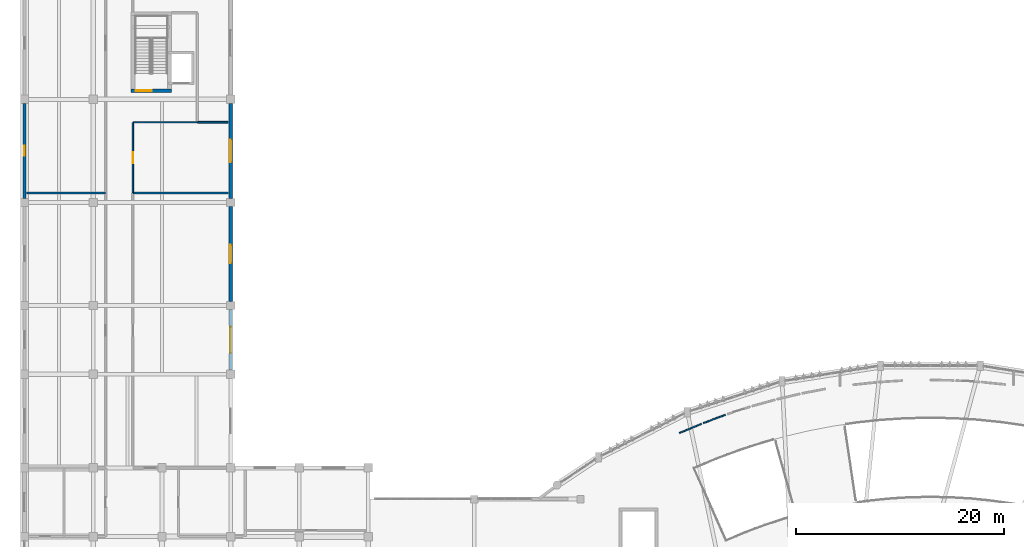
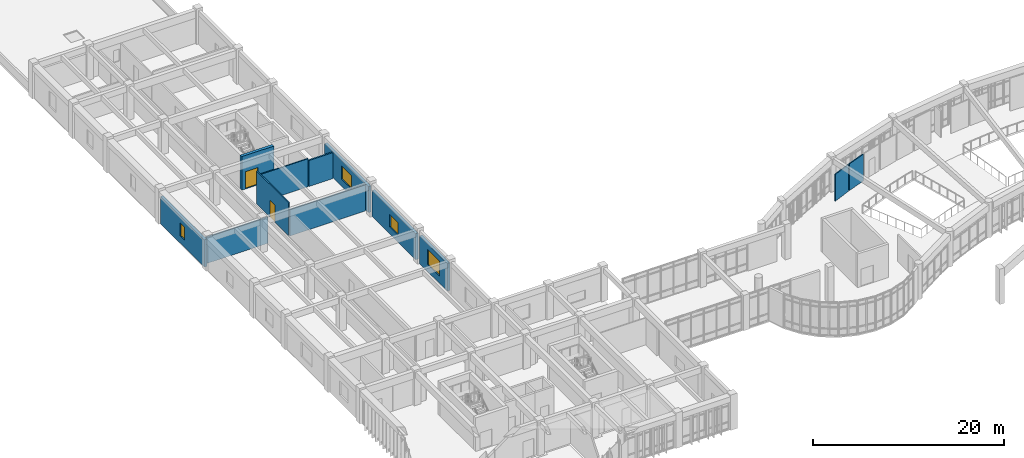
# One storey, part 43 of 54: 12 walls, 4 windows, 2 doors, 6 openings.
"""IFC4 building model written with IfcOpenShell, lengths in metres."""

from ifc_helpers import new_model, si_unit, direction, frame, frame_2d, origin, place, context, subcontext, project, spatial, rectangle, extrude, material, layer, layer_set, type_object, element, fill, save


model = new_model("IFC4")

# Units and contexts
model_context = context("Model", 3, precision=1e-05, world=origin(), true_north=direction((0.0, 1.0)))
body_context = subcontext(model_context, "Body", "Model", "MODEL_VIEW")
ifc_project = project(units=[si_unit("LENGTHUNIT", "METRE"), si_unit("AREAUNIT", "SQUARE_METRE"), si_unit("VOLUMEUNIT", "CUBIC_METRE"), si_unit("PLANEANGLEUNIT", "RADIAN"), si_unit("MASSUNIT", "GRAM", prefix="KILO")], contexts=[model_context])

# Site, building, storey
site_placement = place(None, origin())
site = spatial("IfcSite", under=ifc_project, at=site_placement, CompositionType="ELEMENT")
building_placement = place(site_placement, origin())
building = spatial("IfcBuilding", under=site, at=building_placement, Name="Miralva Faculty of Natural Sciences", CompositionType="ELEMENT")
storey_placement = place(building_placement, frame((0.0, 0.0, 19.5)))
storey = spatial("IfcBuildingStorey", under=building, at=storey_placement, Name="L04", CompositionType="ELEMENT", Elevation=19.5)

# Wall, opening, door
ifc_material_1 = material(Name="Concrete C50/60", Category="concrete")
ifc_layer_1 = layer(ifc_material_1, 0.35009765625, Name="WL-CW02")
ifc_layer_set_1 = layer_set([ifc_layer_1], Name="Concrete C50/60")
wall_type_1 = type_object("IfcWallType", Name="WL-CW02", PredefinedType="SHEAR", material=ifc_layer_set_1)
wall_1_placement = place(storey_placement, frame((13.25, 66.22509765625, 0.0), z_axis=(0.0, 0.0, 1.0), x_axis=(1.0, 0.0, 0.0)))
wall_1 = element("IfcWall", 1, at=wall_1_placement, inside=storey, type_object=wall_type_1, Name="Core C2 shear wall south L04", PredefinedType="SHEAR", context=body_context, shape_type="SweptSolid", body=[
    extrude(rectangle(XDim=3.85009765625, YDim=0.35009765625, at=frame_2d((1.925048828125, 0.0))), origin(), (0.0, 0.0, 1.0), 4.280029296875),
])
opening_1_placement = place(wall_1_placement, frame((0.449951171875, 0.0, 0.0)))
opening_1 = element("IfcOpeningElement", 2, at=opening_1_placement, cuts=wall_1, Name="Opening D-11", PredefinedType="OPENING", context=body_context, shape_type="SweptSolid", body=[
    extrude(rectangle(XDim=1.5, YDim=2.199951171875, at=frame_2d((0.75, 1.10009765625))), frame((0.0, 0.18505859375, 0.0), z_axis=(0.0, -1.0, 0.0), x_axis=(1.0, 0.0, 0.0)), (0.0, 0.0, 1.0), 0.3701171875),
])
ifc_material_2 = material(Name="Galvanised steel", Category="steel")
door_type_1 = type_object("IfcDoorType", Name="DR-DI11", OperationType="DOUBLE_DOOR_SINGLE_SWING", PredefinedType="DOOR", material=ifc_material_2)
door_1_placement = place(opening_1_placement, frame((1.5, 0.0, 0.0), z_axis=(0.0, 0.0, 1.0), x_axis=(-1.0, 0.0, 0.0)))
door_1 = element("IfcDoor", 3, at=door_1_placement, inside=storey, type_object=door_type_1, Name="Protected exit stair door Core C2 L04", OperationType="DOUBLE_DOOR_SINGLE_SWING", OverallHeight=2.199951171875, OverallWidth=1.5, PredefinedType="DOOR", context=body_context, shape_type="SweptSolid", body=[
    extrude(rectangle(XDim=1.5, YDim=2.199951171875, at=frame_2d((0.75, 1.10009765625))), frame((0.0, 0.02490234375, 0.0), z_axis=(0.0, -1.0, 0.0), x_axis=(1.0, 0.0, 0.0)), (0.0, 0.0, 1.0), 0.050048828125),
])
fill(opening_1, door_1)

# Walls
ifc_material_3 = material(Name="Gypsum plasterboard")
ifc_layer_2 = layer(ifc_material_3, 0.179931640625, Name="WL-PT02")
ifc_layer_set_2 = layer_set([ifc_layer_2], Name="Gypsum plasterboard")
wall_type_2 = type_object("IfcWallType", Name="WL-PT02", PredefinedType="PARTITIONING", material=ifc_layer_set_2)
wall_2_placement = place(storey_placement, frame((3.22998046875, 56.39990234375, 0.0), z_axis=(0.0, 0.0, 1.0), x_axis=(1.0, 0.0, 0.0)))
element("IfcWall", 4, at=wall_2_placement, inside=storey, type_object=wall_type_2, Name="Interior partition PT-02 L04-442", PredefinedType="PARTITIONING", context=body_context, shape_type="SweptSolid", body=[
    extrude(rectangle(XDim=7.5400390625, YDim=0.179931640625, at=frame_2d((3.77001953125, 0.0))), origin(), (0.0, 0.0, 1.0), 3.324951171875),
])
wall_3_placement = place(storey_placement, frame((13.429931640625, 56.39990234375, 0.0), z_axis=(0.0, 0.0, 1.0), x_axis=(1.0, 0.0, 0.0)))
element("IfcWall", 5, at=wall_3_placement, inside=storey, type_object=wall_type_2, Name="Interior partition PT-02 L04-444", PredefinedType="PARTITIONING", context=body_context, shape_type="SweptSolid", body=[
    extrude(rectangle(XDim=9.14013671875, YDim=0.179931640625, at=frame_2d((4.570068359375, 0.0))), origin(), (0.0, 0.0, 1.0), 3.324951171875),
])
wall_4_placement = place(storey_placement, frame((19.6298828125, 63.199951171875, 0.0), z_axis=(0.0, 0.0, 1.0), x_axis=(1.0, 0.0, 0.0)))
element("IfcWall", 6, at=wall_4_placement, inside=storey, type_object=wall_type_2, Name="Interior partition PT-02 L04-446", PredefinedType="PARTITIONING", context=body_context, shape_type="SweptSolid", body=[
    extrude(rectangle(XDim=2.940185546875, YDim=0.179931640625, at=frame_2d((1.47021484375, 0.0))), origin(), (0.0, 0.0, 1.0), 3.324951171875),
])

# Wall, opening, door
ifc_layer_3 = layer(ifc_material_3, 0.139892578125, Name="WL-PT04")
ifc_layer_set_3 = layer_set([ifc_layer_3], Name="Gypsum plasterboard")
wall_type_3 = type_object("IfcWallType", Name="WL-PT04", PredefinedType="PARTITIONING", material=ifc_layer_set_3)
wall_5_placement = place(storey_placement, frame((13.39990234375, 56.429931640625, 0.0), z_axis=(0.0, 0.0, 1.0), x_axis=(0.0, 1.0, 0.0)))
wall_5 = element("IfcWall", 7, at=wall_5_placement, inside=storey, type_object=wall_type_3, Name="Interior partition PT-04 L04-447", PredefinedType="PARTITIONING", context=body_context, shape_type="SweptSolid", body=[
    extrude(rectangle(XDim=6.739990234375, YDim=0.139892578125, at=frame_2d((3.3701171875, 0.0))), origin(), (0.0, 0.0, 1.0), 4.179931640625),
])
opening_2_placement = place(wall_5_placement, frame((2.830078125, 0.0, 0.0)))
opening_2 = element("IfcOpeningElement", 8, at=opening_2_placement, cuts=wall_5, Name="Opening D-32", PredefinedType="OPENING", context=body_context, shape_type="SweptSolid", body=[
    extrude(rectangle(XDim=1.080078125, YDim=2.14990234375, at=frame_2d((0.5400390625, 1.074951171875))), frame((0.0, 0.079833984375, 0.0), z_axis=(0.0, -1.0, 0.0), x_axis=(1.0, 0.0, 0.0)), (0.0, 0.0, 1.0), 0.159912109375),
])
ifc_material_4 = material(Name="Anodised aluminium", Category="aluminium")
door_type_2 = type_object("IfcDoorType", Name="DR-DI32", OperationType="NOTDEFINED", PredefinedType="DOOR", material=ifc_material_4)
door_2_placement = place(opening_2_placement, origin())
door_2 = element("IfcDoor", 9, at=door_2_placement, inside=storey, type_object=door_type_2, Name="Interior door D-32 L04-163", OperationType="SINGLE_SWING_RIGHT", OverallHeight=2.14990234375, OverallWidth=1.080078125, PredefinedType="DOOR", context=body_context, shape_type="SweptSolid", body=[
    extrude(rectangle(XDim=1.080078125, YDim=2.14990234375, at=frame_2d((0.5400390625, 1.074951171875))), frame((0.0, 0.02490234375, 0.0), z_axis=(0.0, -1.0, 0.0), x_axis=(1.0, 0.0, 0.0)), (0.0, 0.0, 1.0), 0.050048828125),
])
fill(opening_2, door_2)

# Walls
wall_6_placement = place(storey_placement, frame((13.455078125, 63.199951171875, 0.0), z_axis=(0.0, 0.0, 1.0), x_axis=(1.0, 0.0, 0.0)))
element("IfcWall", 10, at=wall_6_placement, inside=storey, type_object=wall_type_3, Name="Interior partition PT-04 L04-448", PredefinedType="PARTITIONING", context=body_context, shape_type="SweptSolid", body=[
    extrude(rectangle(XDim=6.114990234375, YDim=0.139892578125, at=frame_2d((3.0576171875, 0.0))), origin(), (0.0, 0.0, 1.0), 3.574951171875),
])
ifc_layer_4 = layer(ifc_material_3, 0.125, Name="WL-PT05")
ifc_layer_set_4 = layer_set([ifc_layer_4], Name="Gypsum plasterboard")
wall_type_4 = type_object("IfcWallType", Name="WL-PT05", PredefinedType="PARTITIONING", material=ifc_layer_set_4)
for number, where, z_axis, x_axis, name in (
    (11, (65.9169921875, 33.35205078125, 0.0), (0.0, 0.0, 1.0), (0.921787384168, 0.38769578072, 0.0), "Interior partition PT-05 L04-419"),
    (12, (68.203369140625, 34.30859375, 0.0), (0.0, 0.0, 1.0), (0.937158790468, 0.348903140497, 0.0), "Interior partition PT-05 L04-420"),
):
    element("IfcWall", number, at=place(storey_placement, frame(where, z_axis=z_axis, x_axis=x_axis)), inside=storey, type_object=wall_type_4, Name=name, PredefinedType="PARTITIONING", context=body_context, shape_type="SweptSolid", body=[
        extrude(rectangle(XDim=2.266357421875, YDim=0.125, at=frame_2d((1.13330078125, 0.0))), origin(), (0.0, 0.0, 1.0), 3.405029296875),
    ])

# Wall, opening, window
ifc_material_5 = material(Name="Precast concrete C40/50", Category="concrete")
ifc_layer_5 = layer(ifc_material_5, 0.320068359375, Name="WL-WT02")
ifc_layer_set_5 = layer_set([ifc_layer_5], Name="Precast concrete C40/50")
wall_type_5 = type_object("IfcWallType", Name="WL-WT02", PredefinedType="SOLIDWALL", material=ifc_layer_set_5)
wall_7_placement = place(storey_placement, frame((3.0, 55.885009765625, 0.0), z_axis=(0.0, 0.0, 1.0), x_axis=(0.0, 1.0, 0.0)))
wall_7 = element("IfcWall", 13, at=wall_7_placement, inside=storey, type_object=wall_type_5, Name="Exterior wall L04-257", PredefinedType="SOLIDWALL", context=body_context, shape_type="SweptSolid", body=[
    extrude(rectangle(XDim=9.1298828125, YDim=0.320068359375, at=frame_2d((4.56494140625, 0.0))), origin(), (0.0, 0.0, 1.0), 3.47509765625),
])
opening_3_placement = place(wall_7_placement, frame((4.090087890625, 0.0, 0.89990234375)))
opening_3 = element("IfcOpeningElement", 14, at=opening_3_placement, cuts=wall_7, Name="Opening W-21", PredefinedType="OPENING", context=body_context, shape_type="SweptSolid", body=[
    extrude(rectangle(XDim=0.949951171875, YDim=1.699951171875, at=frame_2d((0.47509765625, 0.85009765625))), frame((0.0, 0.169921875, 0.0), z_axis=(0.0, -1.0, 0.0), x_axis=(1.0, 0.0, 0.0)), (0.0, 0.0, 1.0), 0.340087890625),
])
ifc_material_6 = material(Name="Laminated solar-control glass", Category="glass")
window_type_1 = type_object("IfcWindowType", Name="WN-W21", PartitioningType="DOUBLE_PANEL_VERTICAL", PredefinedType="WINDOW", material=ifc_material_6)
window_1_placement = place(opening_3_placement, origin())
window_1 = element("IfcWindow", 15, at=window_1_placement, inside=storey, type_object=window_type_1, Name="Window W-21 L04-194", OverallHeight=1.699951171875, OverallWidth=0.949951171875, PartitioningType="DOUBLE_PANEL_VERTICAL", PredefinedType="WINDOW", context=body_context, shape_type="SweptSolid", body=[
    extrude(rectangle(XDim=0.949951171875, YDim=1.699951171875, at=frame_2d((0.47509765625, 0.85009765625))), frame((0.0, 0.030029296875, 0.0), z_axis=(0.0, -1.0, 0.0), x_axis=(1.0, 0.0, 0.0)), (0.0, 0.0, 1.0), 0.06005859375),
])
fill(opening_3, window_1)

wall_8_placement = place(storey_placement, frame((22.800048828125, 39.385009765625, 0.0), z_axis=(0.0, 0.0, 1.0), x_axis=(0.0, 1.0, 0.0)))
wall_8 = element("IfcWall", 16, at=wall_8_placement, inside=storey, type_object=wall_type_5, Name="Exterior wall L04-262", PredefinedType="SOLIDWALL", context=body_context, shape_type="SweptSolid", body=[
    extrude(rectangle(XDim=5.830078125, YDim=0.320068359375, at=frame_2d((2.9150390625, 0.0))), origin(), (0.0, 0.0, 1.0), 3.52490234375),
])
opening_4_placement = place(wall_8_placement, frame((1.6650390625, 0.0, 0.89990234375)))
opening_4 = element("IfcOpeningElement", 17, at=opening_4_placement, cuts=wall_8, Name="Opening W-31", PredefinedType="OPENING", context=body_context, shape_type="SweptSolid", body=[
    extrude(rectangle(XDim=2.5, YDim=1.949951171875, at=frame_2d((1.25, 0.97509765625))), frame((0.0, 0.169921875, 0.0), z_axis=(0.0, -1.0, 0.0), x_axis=(1.0, 0.0, 0.0)), (0.0, 0.0, 1.0), 0.340087890625),
])
window_type_2 = type_object("IfcWindowType", Name="WN-W31", PartitioningType="DOUBLE_PANEL_VERTICAL", PredefinedType="WINDOW", material=ifc_material_6)
window_2_placement = place(opening_4_placement, frame((2.5, 0.0, 0.0), z_axis=(0.0, 0.0, 1.0), x_axis=(-1.0, 0.0, 0.0)))
window_2 = element("IfcWindow", 18, at=window_2_placement, inside=storey, type_object=window_type_2, Name="Window W-31 L04-199", OverallHeight=1.949951171875, OverallWidth=2.5, PartitioningType="DOUBLE_PANEL_VERTICAL", PredefinedType="WINDOW", context=body_context, shape_type="SweptSolid", body=[
    extrude(rectangle(XDim=2.5, YDim=1.949951171875, at=frame_2d((1.25, 0.97509765625))), frame((0.0, 0.030029296875, 0.0), z_axis=(0.0, -1.0, 0.0), x_axis=(1.0, 0.0, 0.0)), (0.0, 0.0, 1.0), 0.06005859375),
])
fill(opening_4, window_2)

wall_9_placement = place(storey_placement, frame((22.800048828125, 45.985107421875, 0.0), z_axis=(0.0, 0.0, 1.0), x_axis=(0.0, 1.0, 0.0)))
wall_9 = element("IfcWall", 19, at=wall_9_placement, inside=storey, type_object=wall_type_5, Name="Exterior wall L04-263", PredefinedType="SOLIDWALL", context=body_context, shape_type="SweptSolid", body=[
    extrude(rectangle(XDim=9.1298828125, YDim=0.320068359375, at=frame_2d((4.56494140625, 0.0))), origin(), (0.0, 0.0, 1.0), 3.324951171875),
])
opening_5_placement = place(wall_9_placement, frame((3.68994140625, 0.0, 0.89990234375)))
opening_5 = element("IfcOpeningElement", 20, at=opening_5_placement, cuts=wall_9, Name="Opening W-38", PredefinedType="OPENING", context=body_context, shape_type="SweptSolid", body=[
    extrude(rectangle(XDim=1.75, YDim=1.60009765625, at=frame_2d((0.875, 0.800048828125))), frame((0.0, 0.169921875, 0.0), z_axis=(0.0, -1.0, 0.0), x_axis=(1.0, 0.0, 0.0)), (0.0, 0.0, 1.0), 0.340087890625),
])
window_type_3 = type_object("IfcWindowType", Name="WN-W38", PartitioningType="DOUBLE_PANEL_VERTICAL", PredefinedType="WINDOW", material=ifc_material_6)
window_3_placement = place(opening_5_placement, frame((1.75, 0.0, 0.0), z_axis=(0.0, 0.0, 1.0), x_axis=(-1.0, 0.0, 0.0)))
window_3 = element("IfcWindow", 21, at=window_3_placement, inside=storey, type_object=window_type_3, Name="Window W-38 L04-200", OverallHeight=1.60009765625, OverallWidth=1.75, PartitioningType="DOUBLE_PANEL_VERTICAL", PredefinedType="WINDOW", context=body_context, shape_type="SweptSolid", body=[
    extrude(rectangle(XDim=1.75, YDim=1.60009765625, at=frame_2d((0.875, 0.800048828125))), frame((0.0, 0.030029296875, 0.0), z_axis=(0.0, -1.0, 0.0), x_axis=(1.0, 0.0, 0.0)), (0.0, 0.0, 1.0), 0.06005859375),
])
fill(opening_5, window_3)

wall_10_placement = place(storey_placement, frame((22.800048828125, 55.885009765625, 0.0), z_axis=(0.0, 0.0, 1.0), x_axis=(0.0, 1.0, 0.0)))
wall_10 = element("IfcWall", 22, at=wall_10_placement, inside=storey, type_object=wall_type_5, Name="Exterior wall L04-264", PredefinedType="SOLIDWALL", context=body_context, shape_type="SweptSolid", body=[
    extrude(rectangle(XDim=9.1298828125, YDim=0.320068359375, at=frame_2d((4.56494140625, 0.0))), origin(), (0.0, 0.0, 1.0), 3.324951171875),
])
opening_6_placement = place(wall_10_placement, frame((3.489990234375, 0.0, 0.89990234375)))
opening_6 = element("IfcOpeningElement", 23, at=opening_6_placement, cuts=wall_10, Name="Opening W-39", PredefinedType="OPENING", context=body_context, shape_type="SweptSolid", body=[
    extrude(rectangle(XDim=2.14990234375, YDim=1.699951171875, at=frame_2d((1.074951171875, 0.85009765625))), frame((0.0, 0.169921875, 0.0), z_axis=(0.0, -1.0, 0.0), x_axis=(1.0, 0.0, 0.0)), (0.0, 0.0, 1.0), 0.340087890625),
])
window_type_4 = type_object("IfcWindowType", Name="WN-W39", PartitioningType="DOUBLE_PANEL_VERTICAL", PredefinedType="WINDOW", material=ifc_material_6)
window_4_placement = place(opening_6_placement, frame((2.14990234375, 0.0, 0.0), z_axis=(0.0, 0.0, 1.0), x_axis=(-1.0, 0.0, 0.0)))
window_4 = element("IfcWindow", 24, at=window_4_placement, inside=storey, type_object=window_type_4, Name="Window W-39 L04-201", OverallHeight=1.699951171875, OverallWidth=2.14990234375, PartitioningType="DOUBLE_PANEL_VERTICAL", PredefinedType="WINDOW", context=body_context, shape_type="SweptSolid", body=[
    extrude(rectangle(XDim=2.14990234375, YDim=1.699951171875, at=frame_2d((1.074951171875, 0.85009765625))), frame((0.0, 0.030029296875, 0.0), z_axis=(0.0, -1.0, 0.0), x_axis=(1.0, 0.0, 0.0)), (0.0, 0.0, 1.0), 0.06005859375),
])
fill(opening_6, window_4)

save(model, "model.ifc")
